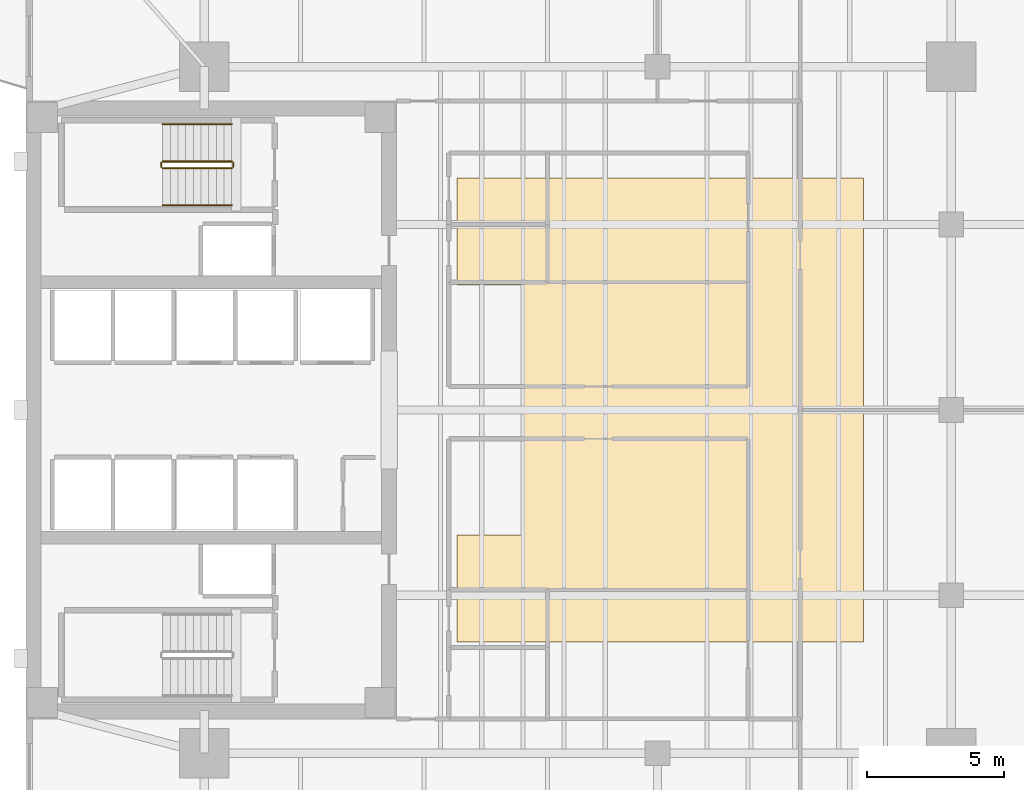
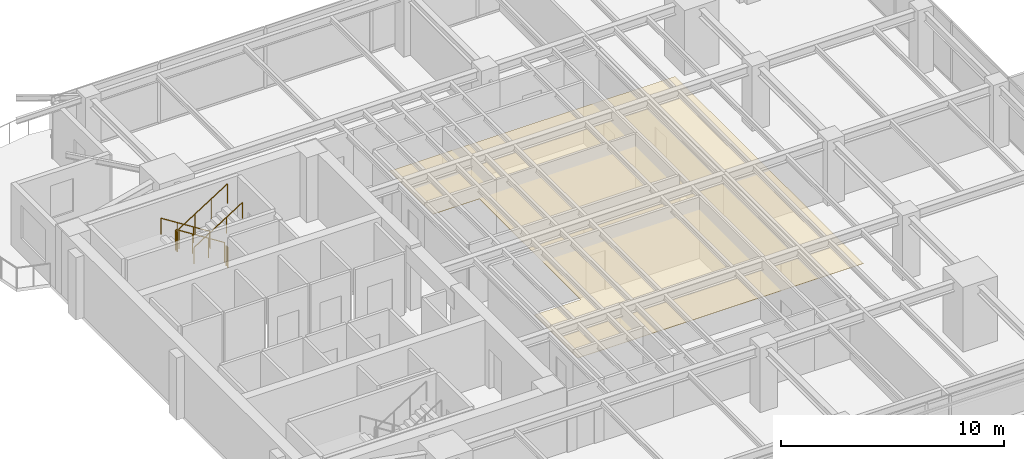
# One storey, part 13 of 14: 6 railings, 1 covering.
"""IFC4 building model written with IfcOpenShell, lengths in metres."""

from ifc_helpers import new_model, si_unit, direction, frame, origin, origin_2d, place, context, subcontext, project, spatial, polyline, circle, outline, extrude, material, layer, layer_set, type_object, element, save


model = new_model("IFC4")

# Units and contexts
model_context = context("Model", 3, precision=1e-05, world=origin(), true_north=direction((0.0, 1.0)))
body_context = subcontext(model_context, "Body", "Model", "MODEL_VIEW")
ifc_project = project(units=[si_unit("LENGTHUNIT", "METRE"), si_unit("AREAUNIT", "SQUARE_METRE"), si_unit("VOLUMEUNIT", "CUBIC_METRE"), si_unit("PLANEANGLEUNIT", "RADIAN"), si_unit("MASSUNIT", "GRAM", prefix="KILO")], contexts=[model_context])

# Site, building, storey
site_placement = place(None, origin())
site = spatial("IfcSite", under=ifc_project, at=site_placement, CompositionType="ELEMENT")
building_placement = place(site_placement, origin())
building = spatial("IfcBuilding", under=site, at=building_placement, Name="Kinhvarn Gate Tower", CompositionType="ELEMENT")
storey_placement = place(building_placement, frame((0.0, 0.0, 188.050048828125)))
storey = spatial("IfcBuildingStorey", under=building, at=storey_placement, Name="L49", CompositionType="ELEMENT", Elevation=188.050048828125)

# Covering
ifc_material_1 = material(Name="Mineral-fibre acoustic ceiling tile")
ifc_layer = layer(ifc_material_1, 0.02001953125)
ifc_layer_set = layer_set([ifc_layer], Name="Mineral-fibre acoustic ceiling tile")
covering_type = type_object("IfcCoveringType", Name="COV-CEIL-20", PredefinedType="CEILING", material=ifc_layer_set)
covering_placement = place(storey_placement, frame((0.0, 0.0, 2.64990234375)))
element("IfcCovering", 1, at=covering_placement, inside=storey, type_object=covering_type, Name="Suspended Acoustic Ceiling Tile (L49-1)", PredefinedType="CEILING", context=body_context, shape_type="SweptSolid", body=[
    extrude(outline(polyline([(35.0, 33.699951171875), (35.0, 16.800048828125), (20.199951171875, 16.800048828125), (20.199951171875, 20.699951171875), (22.60009765625, 20.699951171875), (22.60009765625, 29.800048828125), (20.199951171875, 29.800048828125), (20.199951171875, 33.699951171875), (35.0, 33.699951171875)])), origin(), (0.0, 0.0, 1.0), 0.02001953125),
])

# Railings
ifc_material_2 = material(Name="Steel S355", Category="steel")
railing_type_1 = type_object("IfcRailingType", Name="RL-ST-GRD", PredefinedType="BALUSTRADE", material=ifc_material_2)
railing_1_placement = place(storey_placement, frame((12.0, 34.300048828125, 0.177490234375)))
element("IfcRailing", 2, at=railing_1_placement, inside=storey, type_object=railing_type_1, Name="L49 ST2 stair guard 1", PredefinedType="BALUSTRADE", context=body_context, shape_type="SweptSolid", body=[
    extrude(circle(Radius=0.02392578125, at=origin_2d()), frame((0.0, 0.0, 1.076171875), z_axis=(-0.84460694969, 0.0, 0.535386869969), x_axis=(0.0, -1.0, 0.0)), (0.0, 0.0, 1.0), 2.983642578125),
    extrude(circle(Radius=0.02099609375, at=origin_2d()), origin(), (0.0, 0.0, 1.0), 1.052001953125),
    extrude(circle(Radius=0.02099609375, at=origin_2d()), frame((-0.840087890625, 0.0, 0.532470703125)), (0.0, 0.0, 1.0), 1.052001953125),
    extrude(circle(Radius=0.02099609375, at=origin_2d()), frame((-1.679931640625, 0.0, 1.06494140625)), (0.0, 0.0, 1.0), 1.052001953125),
    extrude(circle(Radius=0.02099609375, at=origin_2d()), frame((-2.52001953125, 0.0, 1.597412109375)), (0.0, 0.0, 1.0), 1.052001953125),
])
railing_2_placement = place(storey_placement, frame((9.429931640625, 34.25, 1.77490234375)))
element("IfcRailing", 3, at=railing_2_placement, inside=storey, type_object=railing_type_1, Name="L49 ST2 stair guard 2", PredefinedType="BALUSTRADE", context=body_context, shape_type="SweptSolid", body=[
    extrude(circle(Radius=0.02392578125, at=origin_2d()), frame((0.0, 0.0, 1.076171875), z_axis=(0.0, -1.0, 0.0), x_axis=(1.0, 0.0, 0.0)), (0.0, 0.0, 1.0), 0.14990234375),
    extrude(circle(Radius=0.02099609375, at=origin_2d()), origin(), (0.0, 0.0, 1.0), 1.052001953125),
    extrude(circle(Radius=0.02099609375, at=origin_2d()), frame((0.0, -0.14990234375, 0.0)), (0.0, 0.0, 1.0), 1.052001953125),
])
railing_3_placement = place(storey_placement, frame((9.47998046875, 34.050048828125, 1.952392578125)))
element("IfcRailing", 4, at=railing_3_placement, inside=storey, type_object=railing_type_1, Name="L49 ST2 stair guard 3", PredefinedType="BALUSTRADE", context=body_context, shape_type="SweptSolid", body=[
    extrude(circle(Radius=0.02392578125, at=origin_2d()), frame((0.0, 0.0, 1.076171875), z_axis=(0.84456994832, 0.0, 0.535445237532), x_axis=(0.0, 1.0, 0.0)), (0.0, 0.0, 1.0), 2.98388671875),
    extrude(circle(Radius=0.02099609375, at=origin_2d()), origin(), (0.0, 0.0, 1.0), 1.052001953125),
    extrude(circle(Radius=0.02099609375, at=origin_2d()), frame((0.840087890625, 0.0, 0.532470703125)), (0.0, 0.0, 1.0), 1.052001953125),
    extrude(circle(Radius=0.02099609375, at=origin_2d()), frame((1.679931640625, 0.0, 1.065185546875)), (0.0, 0.0, 1.0), 1.052001953125),
    extrude(circle(Radius=0.02099609375, at=origin_2d()), frame((2.52001953125, 0.0, 1.59765625)), (0.0, 0.0, 1.0), 1.052001953125),
])
railing_4_placement = place(storey_placement, frame((12.050048828125, 34.25, 0.0)))
element("IfcRailing", 5, at=railing_4_placement, inside=storey, type_object=railing_type_1, Name="L49 ST2 stair guard 4", PredefinedType="BALUSTRADE", context=body_context, shape_type="SweptSolid", body=[
    extrude(circle(Radius=0.02392578125, at=origin_2d()), frame((0.0, 0.0, 1.076171875), z_axis=(0.0, -1.0, 0.0), x_axis=(1.0, 0.0, 0.0)), (0.0, 0.0, 1.0), 0.14990234375),
    extrude(circle(Radius=0.02099609375, at=origin_2d()), origin(), (0.0, 0.0, 1.0), 1.052001953125),
    extrude(circle(Radius=0.02099609375, at=origin_2d()), frame((0.0, -0.14990234375, 0.0)), (0.0, 0.0, 1.0), 1.052001953125),
])
railing_type_2 = type_object("IfcRailingType", Name="RL-ST-HND", PredefinedType="HANDRAIL", material=ifc_material_2)
railing_5_placement = place(storey_placement, frame((12.0, 35.64990234375, 0.177490234375)))
element("IfcRailing", 6, at=railing_5_placement, inside=storey, type_object=railing_type_2, Name="L49 ST2 stair handrail 1", PredefinedType="HANDRAIL", context=body_context, shape_type="SweptSolid", body=[
    extrude(circle(Radius=0.02392578125, at=origin_2d()), frame((0.0, 0.0, 0.8759765625), z_axis=(-0.84460694969, 0.0, 0.535386869969), x_axis=(0.0, -1.0, 0.0)), (0.0, 0.0, 1.0), 2.983642578125),
    extrude(circle(Radius=0.02099609375, at=origin_2d()), origin(), (0.0, 0.0, 1.0), 0.851806640625),
    extrude(circle(Radius=0.02099609375, at=origin_2d()), frame((-0.840087890625, 0.0, 0.532470703125)), (0.0, 0.0, 1.0), 0.851806640625),
    extrude(circle(Radius=0.02099609375, at=origin_2d()), frame((-1.679931640625, 0.0, 1.06494140625)), (0.0, 0.0, 1.0), 0.851806640625),
    extrude(circle(Radius=0.02099609375, at=origin_2d()), frame((-2.52001953125, 0.0, 1.597412109375)), (0.0, 0.0, 1.0), 0.851806640625),
])
railing_6_placement = place(storey_placement, frame((9.47998046875, 32.699951171875, 1.952392578125)))
element("IfcRailing", 7, at=railing_6_placement, inside=storey, type_object=railing_type_2, Name="L49 ST2 stair handrail 2", PredefinedType="HANDRAIL", context=body_context, shape_type="SweptSolid", body=[
    extrude(circle(Radius=0.02392578125, at=origin_2d()), frame((0.0, 0.0, 0.8759765625), z_axis=(0.84456994832, 0.0, 0.535445237532), x_axis=(0.0, 1.0, 0.0)), (0.0, 0.0, 1.0), 2.98388671875),
    extrude(circle(Radius=0.02099609375, at=origin_2d()), origin(), (0.0, 0.0, 1.0), 0.851806640625),
    extrude(circle(Radius=0.02099609375, at=origin_2d()), frame((0.840087890625, 0.0, 0.532470703125)), (0.0, 0.0, 1.0), 0.851806640625),
    extrude(circle(Radius=0.02099609375, at=origin_2d()), frame((1.679931640625, 0.0, 1.065185546875)), (0.0, 0.0, 1.0), 0.851806640625),
    extrude(circle(Radius=0.02099609375, at=origin_2d()), frame((2.52001953125, 0.0, 1.59765625)), (0.0, 0.0, 1.0), 0.851806640625),
])

save(model, "model.ifc")
